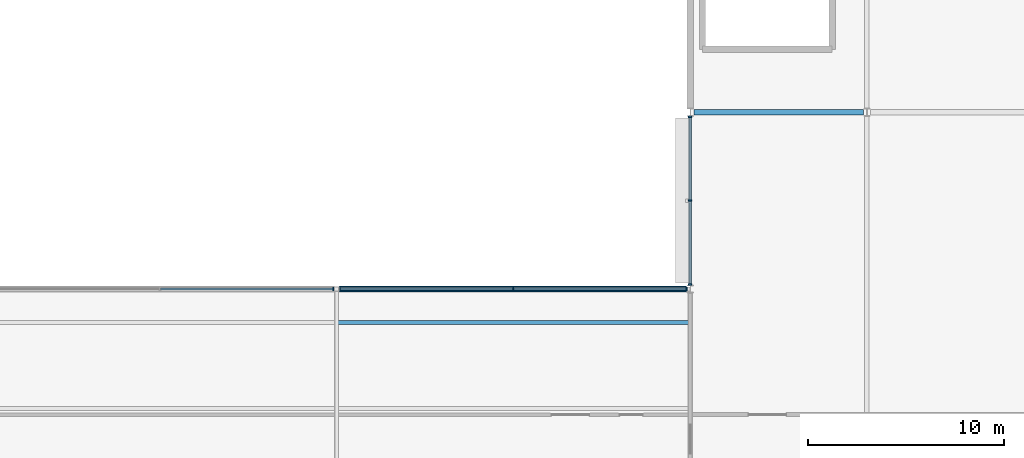
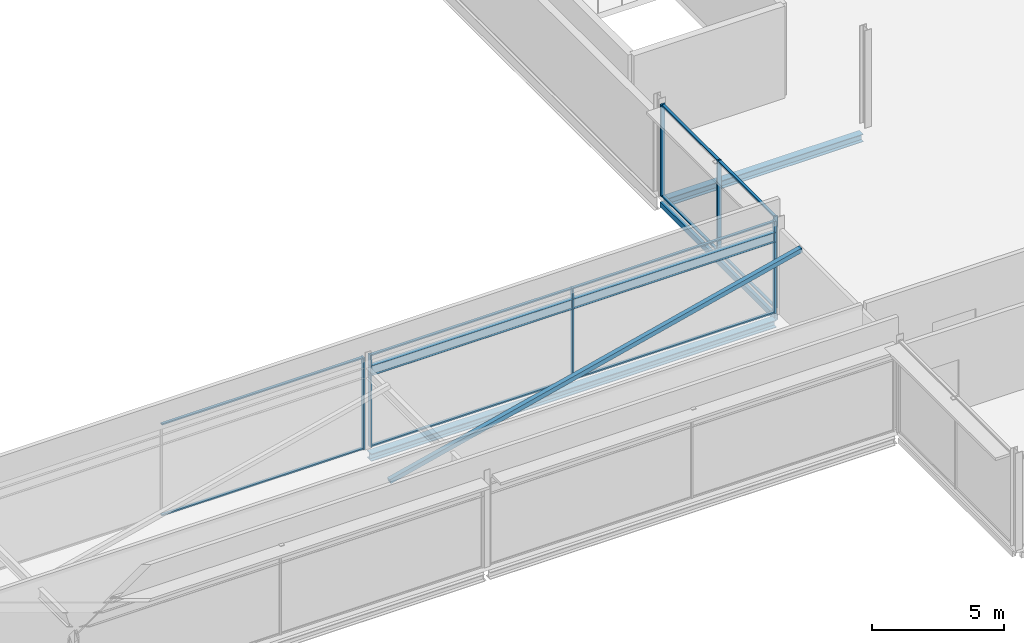
# One storey, part 26 of 73: 18 members, 4 beams, 3 elements without a shape of their own.
"""IFC4 building model written with IfcOpenShell, lengths in metres."""

from ifc_helpers import new_model, si_unit, direction, frame, origin, origin_2d, place, context, subcontext, project, spatial, rectangle, hollow_rectangle, i_section, extrude, material, layer, layer_set, material_profile, profile_set, type_object, element, aggregate, save


model = new_model("IFC4")

# Units and contexts
model_context = context("Model", 3, precision=1e-05, world=origin(), true_north=direction((0.0, 1.0)))
body_context = subcontext(model_context, "Body", "Model", "MODEL_VIEW")
ifc_project = project(units=[si_unit("LENGTHUNIT", "METRE"), si_unit("AREAUNIT", "SQUARE_METRE"), si_unit("VOLUMEUNIT", "CUBIC_METRE"), si_unit("PLANEANGLEUNIT", "RADIAN"), si_unit("MASSUNIT", "GRAM", prefix="KILO")], contexts=[model_context])

# Site, building, storey
site_placement = place(None, origin())
site = spatial("IfcSite", under=ifc_project, at=site_placement, CompositionType="ELEMENT")
building_placement = place(site_placement, origin())
building = spatial("IfcBuilding", under=site, at=building_placement, Name="Kisiwana Market Hall", CompositionType="ELEMENT")
storey_placement = place(building_placement, frame((0.0, 0.0, 33.300048828125)))
storey = spatial("IfcBuildingStorey", under=building, at=storey_placement, Name="L07", CompositionType="ELEMENT", Elevation=33.300048828125)

# Beams
ifc_material_1 = material(Name="Steel S355", Category="steel")
ifc_material_profile_1 = material_profile(ifc_material_1, i_section(OverallWidth=0.300048828125, OverallDepth=0.360107421875, WebThickness=0.012451171875, FlangeThickness=0.0224609375, at=origin_2d()), Name="HEB 360")
ifc_profile_set_1 = profile_set([ifc_material_profile_1], Name="Steel S355")
beam_type_1 = type_object("IfcBeamType", Name="BM-GIRD-HEB360", PredefinedType="BEAM", material=ifc_profile_set_1)
beam_1_placement = place(storey_placement, frame((153.18115234375, 36.0, -0.4599609375), z_axis=(1.0, 0.0, 0.0), x_axis=(0.0, 1.0, 0.0)))
element("IfcBeam", 1, at=beam_1_placement, inside=storey, type_object=beam_type_1, Name="Floor beam B-1987", PredefinedType="BEAM", context=body_context, shape_type="SweptSolid", body=[
    extrude(i_section(OverallWidth=0.300048828125, OverallDepth=0.360107421875, WebThickness=0.012451171875, FlangeThickness=0.0224609375, at=origin_2d()), origin(), (0.0, 0.0, 1.0), 8.6376953125),
])
ifc_material_2 = material(Name="Steel S355", Category="steel")
ifc_material_profile_2 = material_profile(ifc_material_2, i_section(OverallWidth=0.19140625, OverallDepth=0.4599609375, WebThickness=0.010009765625, FlangeThickness=0.01611328125, at=origin_2d()), Name="UB 457x191x82")
ifc_profile_set_2 = profile_set([ifc_material_profile_2], Name="Steel S355")
beam_type_2 = type_object("IfcBeamType", Name="BM-GIRD-UB457H", PredefinedType="BEAM", material=ifc_profile_set_2)
beam_2_placement = place(storey_placement, frame((135.12109375, 27.0, 3.52783203125), z_axis=(1.0, 0.0, 0.0), x_axis=(0.0, 1.0, 0.0)))
element("IfcBeam", 2, at=beam_2_placement, inside=storey, type_object=beam_type_2, Name="Roof girder B-2068", PredefinedType="BEAM", context=body_context, shape_type="SweptSolid", body=[
    extrude(i_section(OverallWidth=0.19140625, OverallDepth=0.4599609375, WebThickness=0.010009765625, FlangeThickness=0.01611328125, at=origin_2d()), origin(), (0.0, 0.0, 1.0), 17.73291015625),
])
ifc_material_3 = material(Name="Steel S355", Category="steel")
ifc_material_profile_3 = material_profile(ifc_material_3, i_section(OverallWidth=0.314453125, OverallDepth=0.33984375, WebThickness=0.01904296875, FlangeThickness=0.031494140625, at=origin_2d()), Name="UC 305x305x198")
ifc_profile_set_3 = profile_set([ifc_material_profile_3], Name="Steel S355")
beam_type_3 = type_object("IfcBeamType", Name="BM-SKYBR-CHORD", PredefinedType="BEAM", material=ifc_profile_set_3)
beam_3_placement = place(storey_placement, frame((135.12109375, 27.0, -0.43505859375), z_axis=(1.0, 0.0, 0.0), x_axis=(0.0, 1.0, 0.0)))
element("IfcBeam", 3, at=beam_3_placement, inside=storey, type_object=beam_type_3, Name="Floor beam B-1982", PredefinedType="BEAM", context=body_context, shape_type="SweptSolid", body=[
    extrude(i_section(OverallWidth=0.314453125, OverallDepth=0.33984375, WebThickness=0.01904296875, FlangeThickness=0.031494140625, at=origin_2d()), origin(), (0.0, 0.0, 1.0), 17.69775390625),
])
ifc_material_4 = material(Name="Steel S355", Category="steel")
ifc_material_profile_4 = material_profile(ifc_material_4, hollow_rectangle(XDim=0.14990234375, YDim=0.25, WallThickness=0.010009765625, at=origin_2d()), Name="RHS 250x150x10.0")
ifc_profile_set_4 = profile_set([ifc_material_profile_4], Name="Steel S355")
beam_type_4 = type_object("IfcBeamType", Name="BM-SPAN-RHS250", PredefinedType="SPANDREL", material=ifc_profile_set_4)
beam_4_placement = place(storey_placement, frame((153.0, 27.177001953125, -0.405029296875), z_axis=(0.0, 1.0, 0.0), x_axis=(-1.0, 0.0, 0.0)))
element("IfcBeam", 4, at=beam_4_placement, inside=storey, type_object=beam_type_4, Name="Floor beam B-2044", PredefinedType="SPANDREL", context=body_context, shape_type="SweptSolid", body=[
    extrude(hollow_rectangle(XDim=0.14990234375, YDim=0.25, WallThickness=0.010009765625, at=origin_2d()), origin(), (0.0, 0.0, 1.0), 8.64599609375),
])

# Curtain wall, member
ifc_material_5 = material(Name="Double-glazed solar-control low-E IGU", Category="glass")
ifc_layer = layer(ifc_material_5, 0.159912109375)
ifc_layer_set = layer_set([ifc_layer], Name="CW-BRG-L07-8200")
curtain_wall_type = type_object("IfcCurtainWallType", Name="CW-BRG-L07-8200", PredefinedType="USERDEFINED", material=ifc_layer_set)
curtain_wall_1_placement = place(storey_placement, origin())
curtain_wall_1 = element("IfcCurtainWall", 5, at=curtain_wall_1_placement, inside=storey, type_object=curtain_wall_type, Name="Unitised curtain wall CW-222 (L07)", ObjectType="UNITISED CURTAIN WALL", PredefinedType="USERDEFINED")
ifc_material_6 = material(Name="Aluminium alloy 6063-T6", Category="aluminium")
ifc_material_profile_5 = material_profile(ifc_material_6, rectangle(XDim=0.070068359375, YDim=0.179931640625, at=origin_2d()), Name="ALU MULLION 70x180")
ifc_profile_set_5 = profile_set([ifc_material_profile_5], Name="Aluminium alloy 6063-T6")
member_type_1 = type_object("IfcMemberType", Name="CW-MULL-70x180", PredefinedType="MULLION", material=ifc_profile_set_5)
member_1_placement = place(storey_placement, frame((134.840087890625, 27.0, 0.0), z_axis=(0.0, 0.0, 1.0), x_axis=(1.0, 0.0, 0.0)))
member_1 = element("IfcMember", 6, at=member_1_placement, type_object=member_type_1, Name="CW-222 mullion 3", PredefinedType="MULLION", context=body_context, shape_type="SweptSolid", body=[
    extrude(rectangle(XDim=0.070068359375, YDim=0.179931640625, at=origin_2d()), origin(), (0.0, 0.0, 1.0), 4.2548828125),
])

# Curtain wall, members
curtain_wall_2_placement = place(storey_placement, origin())
curtain_wall_2 = element("IfcCurtainWall", 7, at=curtain_wall_2_placement, inside=storey, type_object=curtain_wall_type, Name="Unitised curtain wall CW-223 (L07)", ObjectType="UNITISED CURTAIN WALL", PredefinedType="USERDEFINED")
member_2_placement = place(storey_placement, frame((135.159912109375, 27.0, 0.0), z_axis=(0.0, 0.0, 1.0), x_axis=(1.0, 0.0, 0.0)))
member_2 = element("IfcMember", 8, at=member_2_placement, type_object=member_type_1, Name="CW-223 mullion 1", PredefinedType="MULLION", context=body_context, shape_type="SweptSolid", body=[
    extrude(rectangle(XDim=0.070068359375, YDim=0.179931640625, at=origin_2d()), origin(), (0.0, 0.0, 1.0), 4.2548828125),
])
member_3_placement = place(storey_placement, frame((143.987548828125, 27.0, 0.0), z_axis=(0.0, 0.0, 1.0), x_axis=(1.0, 0.0, 0.0)))
member_3 = element("IfcMember", 9, at=member_3_placement, type_object=member_type_1, Name="CW-223 mullion 2", PredefinedType="MULLION", context=body_context, shape_type="SweptSolid", body=[
    extrude(rectangle(XDim=0.070068359375, YDim=0.179931640625, at=origin_2d()), origin(), (0.0, 0.0, 1.0), 4.2548828125),
])
member_4_placement = place(storey_placement, frame((152.81494140625, 27.0, 0.0), z_axis=(0.0, 0.0, 1.0), x_axis=(1.0, 0.0, 0.0)))
member_4 = element("IfcMember", 10, at=member_4_placement, type_object=member_type_1, Name="CW-223 mullion 3", PredefinedType="MULLION", context=body_context, shape_type="SweptSolid", body=[
    extrude(rectangle(XDim=0.070068359375, YDim=0.179931640625, at=origin_2d()), origin(), (0.0, 0.0, 1.0), 4.2548828125),
])

curtain_wall_3_placement = place(storey_placement, origin())
curtain_wall_3 = element("IfcCurtainWall", 11, at=curtain_wall_3_placement, inside=storey, type_object=curtain_wall_type, Name="Unitised curtain wall CW-233 (L07)", ObjectType="UNITISED CURTAIN WALL", PredefinedType="USERDEFINED")
member_5_placement = place(storey_placement, frame((153.0, 27.235107421875, 0.0), z_axis=(0.0, 0.0, 1.0), x_axis=(0.0, 1.0, 0.0)))
member_5 = element("IfcMember", 12, at=member_5_placement, type_object=member_type_1, Name="CW-233 mullion 1", PredefinedType="MULLION", context=body_context, shape_type="SweptSolid", body=[
    extrude(rectangle(XDim=0.070068359375, YDim=0.179931640625, at=origin_2d()), origin(), (0.0, 0.0, 1.0), 4.2548828125),
])
member_6_placement = place(storey_placement, frame((153.0, 31.5, 0.0), z_axis=(0.0, 0.0, 1.0), x_axis=(0.0, 1.0, 0.0)))
member_6 = element("IfcMember", 13, at=member_6_placement, type_object=member_type_1, Name="CW-233 mullion 2", PredefinedType="MULLION", context=body_context, shape_type="SweptSolid", body=[
    extrude(rectangle(XDim=0.070068359375, YDim=0.179931640625, at=origin_2d()), origin(), (0.0, 0.0, 1.0), 4.2548828125),
])
member_7_placement = place(storey_placement, frame((153.0, 35.764892578125, 0.0), z_axis=(0.0, 0.0, 1.0), x_axis=(0.0, 1.0, 0.0)))
member_7 = element("IfcMember", 14, at=member_7_placement, type_object=member_type_1, Name="CW-233 mullion 3", PredefinedType="MULLION", context=body_context, shape_type="SweptSolid", body=[
    extrude(rectangle(XDim=0.070068359375, YDim=0.179931640625, at=origin_2d()), origin(), (0.0, 0.0, 1.0), 4.2548828125),
])

# Member
ifc_material_7 = material(Name="Aluminium alloy 6063-T6", Category="aluminium")
ifc_material_profile_6 = material_profile(ifc_material_7, rectangle(XDim=0.1201171875, YDim=0.06005859375, at=origin_2d()), Name="ALU TRANSOM 60x120")
ifc_profile_set_6 = profile_set([ifc_material_profile_6], Name="Aluminium alloy 6063-T6")
member_type_2 = type_object("IfcMemberType", Name="CW-TRAN-60x120", PredefinedType="USERDEFINED", material=ifc_profile_set_6)
member_8_placement = place(storey_placement, frame((126.034912109375, 27.0, 0.030029296875), z_axis=(1.0, 0.0, 0.0), x_axis=(0.0, 1.0, 0.0)))
member_8 = element("IfcMember", 15, at=member_8_placement, type_object=member_type_2, Name="CW-222 transom 2.1", ObjectType="TRANSOM", PredefinedType="USERDEFINED", context=body_context, shape_type="SweptSolid", body=[
    extrude(rectangle(XDim=0.1201171875, YDim=0.06005859375, at=origin_2d()), origin(), (0.0, 0.0, 1.0), 8.77001953125),
])

member_9_placement = place(storey_placement, frame((126.034912109375, 27.0, 4.224853515625), z_axis=(1.0, 0.0, 0.0), x_axis=(0.0, 1.0, 0.0)))
member_9 = element("IfcMember", 16, at=member_9_placement, type_object=member_type_2, Name="CW-222 transom 2.2", ObjectType="TRANSOM", PredefinedType="USERDEFINED", context=body_context, shape_type="SweptSolid", body=[
    extrude(rectangle(XDim=0.1201171875, YDim=0.06005859375, at=origin_2d()), origin(), (0.0, 0.0, 1.0), 8.77001953125),
])

aggregate(curtain_wall_1, [member_1, member_8, member_9])

member_10_placement = place(storey_placement, frame((135.195068359375, 27.0, 0.030029296875), z_axis=(1.0, 0.0, 0.0), x_axis=(0.0, 1.0, 0.0)))
member_10 = element("IfcMember", 17, at=member_10_placement, type_object=member_type_2, Name="CW-223 transom 1.1", ObjectType="TRANSOM", PredefinedType="USERDEFINED", context=body_context, shape_type="SweptSolid", body=[
    extrude(rectangle(XDim=0.1201171875, YDim=0.06005859375, at=origin_2d()), origin(), (0.0, 0.0, 1.0), 8.75732421875),
])

member_11_placement = place(storey_placement, frame((135.195068359375, 27.0, 4.224853515625), z_axis=(1.0, 0.0, 0.0), x_axis=(0.0, 1.0, 0.0)))
member_11 = element("IfcMember", 18, at=member_11_placement, type_object=member_type_2, Name="CW-223 transom 1.2", ObjectType="TRANSOM", PredefinedType="USERDEFINED", context=body_context, shape_type="SweptSolid", body=[
    extrude(rectangle(XDim=0.1201171875, YDim=0.06005859375, at=origin_2d()), origin(), (0.0, 0.0, 1.0), 8.75732421875),
])

member_12_placement = place(storey_placement, frame((144.0224609375, 27.0, 0.030029296875), z_axis=(1.0, 0.0, 0.0), x_axis=(0.0, 1.0, 0.0)))
member_12 = element("IfcMember", 19, at=member_12_placement, type_object=member_type_2, Name="CW-223 transom 2.1", ObjectType="TRANSOM", PredefinedType="USERDEFINED", context=body_context, shape_type="SweptSolid", body=[
    extrude(rectangle(XDim=0.1201171875, YDim=0.06005859375, at=origin_2d()), origin(), (0.0, 0.0, 1.0), 8.757568359375),
])

member_13_placement = place(storey_placement, frame((144.0224609375, 27.0, 4.224853515625), z_axis=(1.0, 0.0, 0.0), x_axis=(0.0, 1.0, 0.0)))
member_13 = element("IfcMember", 20, at=member_13_placement, type_object=member_type_2, Name="CW-223 transom 2.2", ObjectType="TRANSOM", PredefinedType="USERDEFINED", context=body_context, shape_type="SweptSolid", body=[
    extrude(rectangle(XDim=0.1201171875, YDim=0.06005859375, at=origin_2d()), origin(), (0.0, 0.0, 1.0), 8.757568359375),
])

aggregate(curtain_wall_2, [member_2, member_3, member_4, member_10, member_11, member_12, member_13])

member_14_placement = place(storey_placement, frame((153.0, 27.27001953125, 0.030029296875), z_axis=(0.0, 1.0, 0.0), x_axis=(-1.0, 0.0, 0.0)))
member_14 = element("IfcMember", 21, at=member_14_placement, type_object=member_type_2, Name="CW-233 transom 1.1", ObjectType="TRANSOM", PredefinedType="USERDEFINED", context=body_context, shape_type="SweptSolid", body=[
    extrude(rectangle(XDim=0.1201171875, YDim=0.06005859375, at=origin_2d()), origin(), (0.0, 0.0, 1.0), 4.195068359375),
])

member_15_placement = place(storey_placement, frame((153.0, 27.27001953125, 4.224853515625), z_axis=(0.0, 1.0, 0.0), x_axis=(-1.0, 0.0, 0.0)))
member_15 = element("IfcMember", 22, at=member_15_placement, type_object=member_type_2, Name="CW-233 transom 1.2", ObjectType="TRANSOM", PredefinedType="USERDEFINED", context=body_context, shape_type="SweptSolid", body=[
    extrude(rectangle(XDim=0.1201171875, YDim=0.06005859375, at=origin_2d()), origin(), (0.0, 0.0, 1.0), 4.195068359375),
])

member_16_placement = place(storey_placement, frame((153.0, 31.534912109375, 0.030029296875), z_axis=(0.0, 1.0, 0.0), x_axis=(-1.0, 0.0, 0.0)))
member_16 = element("IfcMember", 23, at=member_16_placement, type_object=member_type_2, Name="CW-233 transom 2.1", ObjectType="TRANSOM", PredefinedType="USERDEFINED", context=body_context, shape_type="SweptSolid", body=[
    extrude(rectangle(XDim=0.1201171875, YDim=0.06005859375, at=origin_2d()), origin(), (0.0, 0.0, 1.0), 4.195068359375),
])

member_17_placement = place(storey_placement, frame((153.0, 31.534912109375, 4.224853515625), z_axis=(0.0, 1.0, 0.0), x_axis=(-1.0, 0.0, 0.0)))
member_17 = element("IfcMember", 24, at=member_17_placement, type_object=member_type_2, Name="CW-233 transom 2.2", ObjectType="TRANSOM", PredefinedType="USERDEFINED", context=body_context, shape_type="SweptSolid", body=[
    extrude(rectangle(XDim=0.1201171875, YDim=0.06005859375, at=origin_2d()), origin(), (0.0, 0.0, 1.0), 4.195068359375),
])

aggregate(curtain_wall_3, [member_5, member_6, member_7, member_14, member_15, member_16, member_17])

ifc_material_8 = material(Name="Steel S355", Category="steel")
ifc_material_profile_7 = material_profile(ifc_material_8, hollow_rectangle(XDim=0.199951171875, YDim=0.199951171875, WallThickness=0.010009765625, at=origin_2d()), Name="SHS 200x200x10.0")
ifc_profile_set_7 = profile_set([ifc_material_profile_7], Name="Steel S355")
member_type_3 = type_object("IfcMemberType", Name="MB-SKY-DIAG200", PredefinedType="BRACE", material=ifc_profile_set_7)
member_18_placement = place(storey_placement, frame((135.0, 25.300048828125, -0.5), z_axis=(0.971336371937, 0.0, 0.237709176417), x_axis=(0.0, 1.0, 0.0)))
element("IfcMember", 25, at=member_18_placement, inside=storey, type_object=member_type_3, Name="Skybridge truss diagonal L07 grids 16 to 18 M-0509", PredefinedType="BRACE", context=body_context, shape_type="SweptSolid", body=[
    extrude(hollow_rectangle(XDim=0.199951171875, YDim=0.199951171875, WallThickness=0.010009765625, at=origin_2d()), origin(), (0.0, 0.0, 1.0), 18.53125),
])

save(model, "model.ifc")
